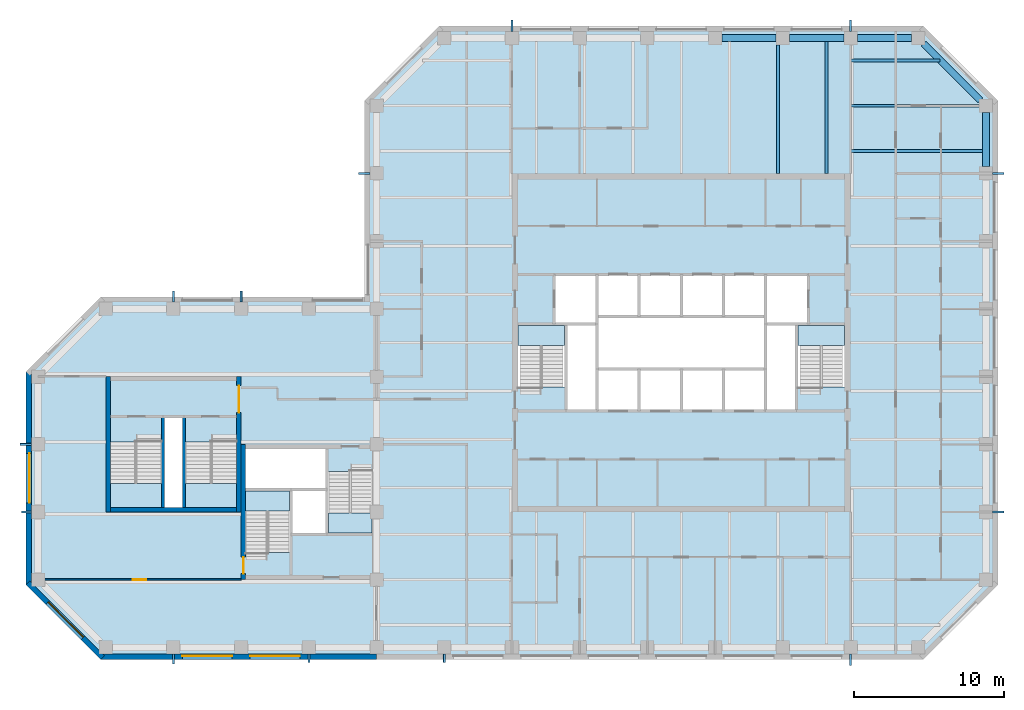
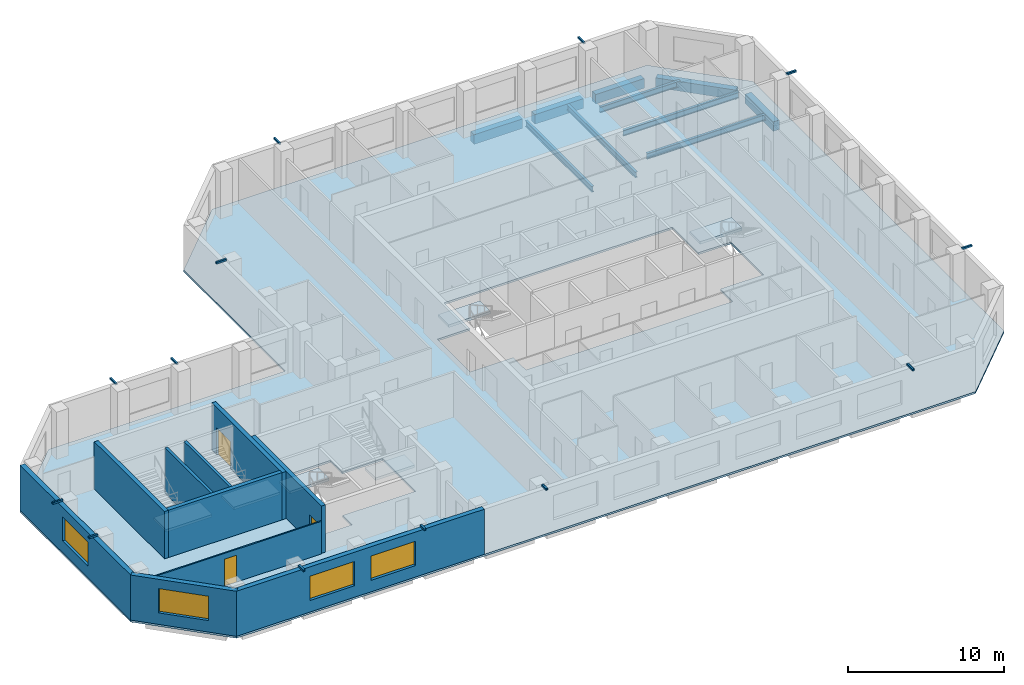
# One storey, part 2 of 9: 23 beams, 10 walls, 7 slabs, 4 windows, 3 doors, 7 openings, 6 elements without a shape of their own.
"""IFC4 building model written with IfcOpenShell, lengths in metres."""

from ifc_helpers import new_model, si_unit, direction, frame, frame_2d, origin, origin_2d, place, context, subcontext, project, spatial, polyline, rectangle, hollow_rectangle, i_section, outline, extrude, material, layer, layer_set, constituent, constituent_set, material_profile, profile_set, type_object, element, fill, aggregate, save


model = new_model("IFC4")

# Units and contexts
model_context = context("Model", 3, precision=1e-05, world=origin(), true_north=direction((0.0, 1.0)))
body_context = subcontext(model_context, "Body", "Model", "MODEL_VIEW")
ifc_project = project(units=[si_unit("LENGTHUNIT", "METRE"), si_unit("AREAUNIT", "SQUARE_METRE"), si_unit("VOLUMEUNIT", "CUBIC_METRE"), si_unit("PLANEANGLEUNIT", "RADIAN"), si_unit("MASSUNIT", "GRAM", prefix="KILO")], contexts=[model_context])

# Site, building, storey
site_placement = place(None, origin())
site = spatial("IfcSite", under=ifc_project, at=site_placement, CompositionType="ELEMENT")
building_placement = place(site_placement, origin())
building = spatial("IfcBuilding", under=site, at=building_placement, Name="Quoin Convention Tower", CompositionType="ELEMENT")
storey_placement = place(building_placement, frame((0.0, 0.0, 199.5)))
storey = spatial("IfcBuildingStorey", under=building, at=storey_placement, Name="L52", CompositionType="ELEMENT", Elevation=199.5)

# Beams
ifc_material_1 = material(Name="Steel C450L0", Category="steel")
ifc_material_profile_1 = material_profile(ifc_material_1, hollow_rectangle(XDim=0.14990234375, YDim=0.14990234375, WallThickness=0.008056640625, InnerFilletRadius=0.011962890625, OuterFilletRadius=0.02001953125, at=origin_2d()), Name="150x150x8.0SHS")
ifc_profile_set_1 = profile_set([ifc_material_profile_1], Name="Steel C450L0")
beam_type_1 = type_object("IfcBeamType", Name="150x150x8.0SHS", PredefinedType="BEAM", material=ifc_profile_set_1)
beam_1_placement = place(storey_placement, frame((13.050048828125, 54.0, 3.625), z_axis=(-1.0, 0.0, 0.0), x_axis=(0.0, -1.0, 0.0)))
element("IfcBeam", 1, at=beam_1_placement, inside=storey, type_object=beam_type_1, Name="brk-hi-L49-13500_58500-13500_54000", PredefinedType="BEAM", context=body_context, shape_type="SweptSolid", body=[
    extrude(hollow_rectangle(XDim=0.14990234375, YDim=0.14990234375, WallThickness=0.008056640625, InnerFilletRadius=0.011962890625, OuterFilletRadius=0.02001953125, at=origin_2d()), origin(), (0.0, 0.0, 1.0), 0.75),
])
for number, where, z_axis, x_axis, name in (
    (2, (13.050048828125, 49.5, 3.625), (-1.0, 0.0, 0.0), (0.0, -1.0, 0.0), "brk-hi-L49-13500_49500-13500_45000"),
    (3, (22.5, 40.050048828125, 3.625), (0.0, -1.0, 0.0), (1.0, 0.0, 0.0), "brk-hi-L49-18000_40500-22500_40500"),
):
    element("IfcBeam", number, at=place(storey_placement, frame(where, z_axis=z_axis, x_axis=x_axis)), inside=storey, type_object=beam_type_1, Name=name, PredefinedType="BEAM", context=body_context, shape_type="SweptSolid", body=[
        extrude(hollow_rectangle(XDim=0.14990234375, YDim=0.14990234375, WallThickness=0.008056640625, InnerFilletRadius=0.011962890625, OuterFilletRadius=0.02001953125, at=origin_2d()), origin(), (0.0, 0.0, 1.0), 0.650146484375),
    ])
for number, where, z_axis, x_axis, name in (
    (4, (31.5, 40.050048828125, 3.625), (0.0, -1.0, 0.0), (1.0, 0.0, 0.0), "brk-hi-L49-31500_40500-36000_40500"),
    (5, (40.5, 40.050048828125, 3.625), (0.0, -1.0, 0.0), (1.0, 0.0, 0.0), "brk-hi-L49-36000_40500-40500_40500"),
):
    element("IfcBeam", number, at=place(storey_placement, frame(where, z_axis=z_axis, x_axis=x_axis)), inside=storey, type_object=beam_type_1, Name=name, PredefinedType="BEAM", context=body_context, shape_type="SweptSolid", body=[
        extrude(hollow_rectangle(XDim=0.14990234375, YDim=0.14990234375, WallThickness=0.008056640625, InnerFilletRadius=0.011962890625, OuterFilletRadius=0.02001953125, at=origin_2d()), origin(), (0.0, 0.0, 1.0), 0.550048828125),
    ])
for number, where, z_axis, x_axis, name in (
    (6, (67.5, 40.050048828125, 3.625), (0.0, -1.0, 0.0), (1.0, 0.0, 0.0), "brk-hi-L49-67500_40500-72000_40500"),
    (7, (27.0, 63.449951171875, 3.625), (0.0, 1.0, 0.0), (-1.0, 0.0, 0.0), "brk-hi-L49-31500_63000-27000_63000"),
    (8, (22.5, 63.449951171875, 3.625), (0.0, 1.0, 0.0), (-1.0, 0.0, 0.0), "brk-hi-L49-22500_63000-18000_63000"),
    (9, (35.550048828125, 72.0, 3.625), (-1.0, 0.0, 0.0), (0.0, -1.0, 0.0), "brk-hi-L49-36000_76500-36000_72000"),
    (10, (67.5, 81.449951171875, 3.625), (0.0, 1.0, 0.0), (-1.0, 0.0, 0.0), "brk-hi-L49-72000_81000-67500_81000"),
    (11, (45.0, 81.449951171875, 3.625), (0.0, 1.0, 0.0), (-1.0, 0.0, 0.0), "brk-hi-L49-45000_81000-40500_81000"),
    (12, (76.949951171875, 49.5, 3.625), (1.0, 0.0, 0.0), (0.0, 1.0, 0.0), "brk-hi-L49-76500_45000-76500_49500"),
    (13, (76.949951171875, 72.0, 3.625), (1.0, 0.0, 0.0), (0.0, 1.0, 0.0), "brk-hi-L49-76500_72000-76500_76500"),
):
    element("IfcBeam", number, at=place(storey_placement, frame(where, z_axis=z_axis, x_axis=x_axis)), inside=storey, type_object=beam_type_1, Name=name, PredefinedType="BEAM", context=body_context, shape_type="SweptSolid", body=[
        extrude(hollow_rectangle(XDim=0.14990234375, YDim=0.14990234375, WallThickness=0.008056640625, InnerFilletRadius=0.011962890625, OuterFilletRadius=0.02001953125, at=origin_2d()), origin(), (0.0, 0.0, 1.0), 0.75),
    ])
ifc_material_2 = material(Name="Steel Grade 300", Category="steel")
ifc_material_profile_2 = material_profile(ifc_material_2, i_section(OverallWidth=0.18994140625, OverallDepth=0.4541015625, WebThickness=0.008544921875, FlangeThickness=0.0126953125, FilletRadius=0.011474609375, at=origin_2d()), Name="460UB67.1")
ifc_profile_set_2 = profile_set([ifc_material_profile_2], Name="Steel Grade 300")
beam_type_2 = type_object("IfcBeamType", Name="460UB67.1", PredefinedType="BEAM", material=ifc_profile_set_2)
beam_2_placement = place(storey_placement, frame((62.6787109375, 72.0, -0.376953125), z_axis=(0.0, 1.0, 0.0), x_axis=(-1.0, 0.0, 0.0)))
element("IfcBeam", 14, at=beam_2_placement, inside=storey, type_object=beam_type_2, Name="bm-L52-T1N5", PredefinedType="BEAM", context=body_context, shape_type="SweptSolid", body=[
    extrude(i_section(OverallWidth=0.18994140625, OverallDepth=0.4541015625, WebThickness=0.008544921875, FlangeThickness=0.0126953125, FilletRadius=0.011474609375, at=origin_2d()), origin(), (0.0, 0.0, 1.0), 8.550048828125),
])
beam_3_placement = place(storey_placement, frame((65.892822265625, 72.0, -0.376953125), z_axis=(0.0, 1.0, 0.0), x_axis=(-1.0, 0.0, 0.0)))
element("IfcBeam", 15, at=beam_3_placement, inside=storey, type_object=beam_type_2, Name="bm-L52-T1N6", PredefinedType="BEAM", context=body_context, shape_type="SweptSolid", body=[
    extrude(i_section(OverallWidth=0.18994140625, OverallDepth=0.4541015625, WebThickness=0.008544921875, FlangeThickness=0.0126953125, FilletRadius=0.011474609375, at=origin_2d()), origin(), (0.0, 0.0, 1.0), 8.77490234375),
])
beam_4_placement = place(storey_placement, frame((67.5, 79.5, -0.376953125), z_axis=(1.0, 0.0, 0.0), x_axis=(0.0, 1.0, 0.0)))
element("IfcBeam", 16, at=beam_4_placement, inside=storey, type_object=beam_type_2, Name="bm-L52-T1NE0", PredefinedType="BEAM", context=body_context, shape_type="SweptSolid", body=[
    extrude(i_section(OverallWidth=0.18994140625, OverallDepth=0.4541015625, WebThickness=0.008544921875, FlangeThickness=0.0126953125, FilletRadius=0.011474609375, at=origin_2d()), origin(), (0.0, 0.0, 1.0), 5.935791015625),
])
beam_5_placement = place(storey_placement, frame((67.5, 76.5, -0.376953125), z_axis=(1.0, 0.0, 0.0), x_axis=(0.0, 1.0, 0.0)))
element("IfcBeam", 17, at=beam_5_placement, inside=storey, type_object=beam_type_2, Name="bm-L52-T1NE1", PredefinedType="BEAM", context=body_context, shape_type="SweptSolid", body=[
    extrude(i_section(OverallWidth=0.18994140625, OverallDepth=0.4541015625, WebThickness=0.008544921875, FlangeThickness=0.0126953125, FilletRadius=0.011474609375, at=origin_2d()), origin(), (0.0, 0.0, 1.0), 8.550048828125),
])
beam_6_placement = place(storey_placement, frame((67.5, 73.5, -0.376953125), z_axis=(1.0, 0.0, 0.0), x_axis=(0.0, 1.0, 0.0)))
element("IfcBeam", 18, at=beam_6_placement, inside=storey, type_object=beam_type_2, Name="bm-L52-T1NE2", PredefinedType="BEAM", context=body_context, shape_type="SweptSolid", body=[
    extrude(i_section(OverallWidth=0.18994140625, OverallDepth=0.4541015625, WebThickness=0.008544921875, FlangeThickness=0.0126953125, FilletRadius=0.011474609375, at=origin_2d()), origin(), (0.0, 0.0, 1.0), 8.77490234375),
])
ifc_material_3 = material(Name="Concrete C50", Category="concrete")
ifc_material_profile_3 = material_profile(ifc_material_3, rectangle(XDim=0.449951171875, YDim=0.75, at=origin_2d()), Name="RC 450x750")
ifc_profile_set_3 = profile_set([ifc_material_profile_3], Name="Concrete C50")
beam_type_3 = type_object("IfcBeamType", Name="RC 450x750 C50", PredefinedType="SPANDREL", material=ifc_profile_set_3)
beam_7_placement = place(storey_placement, frame((76.5, 72.449951171875, -0.52490234375), z_axis=(0.0, 1.0, 0.0), x_axis=(-1.0, 0.0, 0.0)))
element("IfcBeam", 19, at=beam_7_placement, inside=storey, type_object=beam_type_3, Name="spd-L52-76500_72000-76500_76500", PredefinedType="SPANDREL", context=body_context, shape_type="SweptSolid", body=[
    extrude(rectangle(XDim=0.449951171875, YDim=0.75, at=origin_2d()), origin(), (0.0, 0.0, 1.0), 3.60009765625),
])
beam_8_placement = place(storey_placement, frame((76.135009765625, 76.864990234375, -0.52490234375), z_axis=(-0.707106781187, 0.707106781187, 0.0), x_axis=(-0.707106781187, -0.707106781187, 0.0)))
element("IfcBeam", 20, at=beam_8_placement, inside=storey, type_object=beam_type_3, Name="spd-L52-76500_76500-72000_81000", PredefinedType="SPANDREL", context=body_context, shape_type="SweptSolid", body=[
    extrude(rectangle(XDim=0.449951171875, YDim=0.75, at=origin_2d()), origin(), (0.0, 0.0, 1.0), 5.33154296875),
])
for number, where, z_axis, x_axis, name in (
    (21, (71.550048828125, 81.0, -0.52490234375), (-1.0, 0.0, 0.0), (0.0, -1.0, 0.0), "spd-L52-72000_81000-67500_81000"),
    (22, (67.050048828125, 81.0, -0.52490234375), (-1.0, 0.0, 0.0), (0.0, -1.0, 0.0), "spd-L52-67500_81000-63000_81000"),
    (23, (62.550048828125, 81.0, -0.52490234375), (-1.0, 0.0, 0.0), (0.0, -1.0, 0.0), "spd-L52-63000_81000-58500_81000"),
):
    element("IfcBeam", number, at=place(storey_placement, frame(where, z_axis=z_axis, x_axis=x_axis)), inside=storey, type_object=beam_type_3, Name=name, PredefinedType="SPANDREL", context=body_context, shape_type="SweptSolid", body=[
        extrude(rectangle(XDim=0.449951171875, YDim=0.75, at=origin_2d()), origin(), (0.0, 0.0, 1.0), 3.60009765625),
    ])

# Slab
ifc_material_4 = material(Name="Concrete C40", Category="concrete")
ifc_layer_1 = layer(ifc_material_4, 0.14990234375)
ifc_layer_set_1 = layer_set([ifc_layer_1], Name="Concrete C40")
slab_type_1 = type_object("IfcSlabType", Name="COMPOSITE SLAB 150 C40", PredefinedType="FLOOR", material=ifc_layer_set_1)
slab_1_placement = place(storey_placement, frame((0.0, 0.0, -0.14990234375)))
element("IfcSlab", 24, at=slab_1_placement, inside=storey, type_object=slab_type_1, Name="slb-L52", PredefinedType="FLOOR", context=body_context, shape_type="SweptSolid", body=[
    extrude(outline(polyline([(17.668701171875, 39.699951171875), (12.699951171875, 44.668701171875), (12.699951171875, 58.831298828125), (17.668701171875, 63.800048828125), (35.199951171875, 63.800048828125), (35.199951171875, 76.831298828125), (40.168701171875, 81.800048828125), (72.331298828125, 81.800048828125), (77.300048828125, 76.831298828125), (77.300048828125, 44.668701171875), (72.331298828125, 39.699951171875), (17.668701171875, 39.699951171875)]), holes=[polyline([(27.300048828125, 51.0), (27.300048828125, 46.800537109375), (30.300048828125, 46.800537109375), (30.300048828125, 48.0), (32.699951171875, 48.0), (35.699951171875, 48.0), (35.699951171875, 52.199462890625), (32.699951171875, 52.199462890625), (32.699951171875, 53.699951171875), (27.300048828125, 53.699951171875), (27.300048828125, 51.0)]), polyline([(18.300048828125, 49.800048828125), (21.800048828125, 49.800048828125), (23.199951171875, 49.800048828125), (26.699951171875, 49.800048828125), (26.699951171875, 54.1494140625), (23.199951171875, 54.1494140625), (23.199951171875, 55.85009765625), (21.800048828125, 55.85009765625), (21.800048828125, 54.1494140625), (18.300048828125, 54.1494140625), (18.300048828125, 49.800048828125)]), polyline([(48.60009765625, 56.199951171875), (50.64990234375, 56.199951171875), (53.449951171875, 56.199951171875), (56.25, 56.199951171875), (59.050048828125, 56.199951171875), (61.85009765625, 56.199951171875), (63.89990234375, 56.199951171875), (63.89990234375, 57.800537109375), (67.10009765625, 57.800537109375), (67.10009765625, 62.0), (64.699951171875, 62.0), (64.699951171875, 65.300048828125), (61.85009765625, 65.300048828125), (59.050048828125, 65.300048828125), (56.25, 65.300048828125), (53.449951171875, 65.300048828125), (50.64990234375, 65.300048828125), (47.800048828125, 65.300048828125), (47.800048828125, 62.0), (45.39990234375, 62.0), (45.39990234375, 57.800537109375), (48.60009765625, 57.800537109375), (48.60009765625, 56.199951171875)])]), origin(), (0.0, 0.0, 1.0), 0.14990234375),
])

# Stair, slab
stair_type_1 = type_object("IfcStairType", Name="Exit stair two-flight 1350", PredefinedType="HALF_TURN_STAIR", material=ifc_material_4)
stair_1_placement = place(storey_placement, origin())
stair_1 = element("IfcStair", 25, at=stair_1_placement, inside=storey, type_object=stair_type_1, Name="SD1 L52", PredefinedType="HALF_TURN_STAIR")
ifc_layer_2 = layer(ifc_material_4, 0.199951171875)
ifc_layer_set_2 = layer_set([ifc_layer_2], Name="Concrete C40")
slab_type_2 = type_object("IfcSlabType", Name="Stair landing 200", PredefinedType="LANDING", material=ifc_layer_set_2)
slab_2_placement = place(storey_placement, frame((0.0, 0.0, 1.792236328125)))
slab_2 = element("IfcSlab", 26, at=slab_2_placement, type_object=slab_type_2, Name="ST1 landing 1", PredefinedType="LANDING", context=body_context, shape_type="SweptSolid", body=[
    extrude(outline(polyline([(45.39990234375, 60.550048828125), (48.5, 60.550048828125), (48.5, 61.89990234375), (45.39990234375, 61.89990234375), (45.39990234375, 60.550048828125)])), origin(), (0.0, 0.0, 1.0), 0.199951171875),
])
aggregate(stair_1, [slab_2])

stair_2_placement = place(storey_placement, origin())
stair_2 = element("IfcStair", 27, at=stair_2_placement, inside=storey, type_object=stair_type_1, Name="SD2 L52", PredefinedType="HALF_TURN_STAIR")
slab_3_placement = place(storey_placement, frame((0.0, 0.0, 1.792236328125)))
slab_3 = element("IfcSlab", 28, at=slab_3_placement, type_object=slab_type_2, Name="ST2 landing 1", PredefinedType="LANDING", context=body_context, shape_type="SweptSolid", body=[
    extrude(outline(polyline([(64.0, 60.550048828125), (67.10009765625, 60.550048828125), (67.10009765625, 61.89990234375), (64.0, 61.89990234375), (64.0, 60.550048828125)])), origin(), (0.0, 0.0, 1.0), 0.199951171875),
])
aggregate(stair_2, [slab_3])

stair_3_placement = place(storey_placement, origin())
stair_3 = element("IfcStair", 29, at=stair_3_placement, inside=storey, type_object=stair_type_1, Name="SD3 L52", PredefinedType="HALF_TURN_STAIR")
slab_4_placement = place(storey_placement, frame((0.0, 0.0, 1.792236328125)))
slab_4 = element("IfcSlab", 30, at=slab_4_placement, type_object=slab_type_2, Name="ST3 landing 1", PredefinedType="LANDING", context=body_context, shape_type="SweptSolid", body=[
    extrude(outline(polyline([(27.300048828125, 49.550048828125), (30.199951171875, 49.550048828125), (30.199951171875, 50.89990234375), (27.300048828125, 50.89990234375), (27.300048828125, 49.550048828125)])), origin(), (0.0, 0.0, 1.0), 0.199951171875),
])
aggregate(stair_3, [slab_4])

stair_4_placement = place(storey_placement, origin())
stair_4 = element("IfcStair", 31, at=stair_4_placement, inside=storey, type_object=stair_type_1, Name="SD4 L52", PredefinedType="HALF_TURN_STAIR")
slab_5_placement = place(storey_placement, frame((0.0, 0.0, 1.792236328125)))
slab_5 = element("IfcSlab", 32, at=slab_5_placement, type_object=slab_type_2, Name="ST4 landing 1", PredefinedType="LANDING", context=body_context, shape_type="SweptSolid", body=[
    extrude(outline(polyline([(35.699951171875, 49.449951171875), (32.800048828125, 49.449951171875), (32.800048828125, 48.10009765625), (35.699951171875, 48.10009765625), (35.699951171875, 49.449951171875)])), origin(), (0.0, 0.0, 1.0), 0.199951171875),
])
aggregate(stair_4, [slab_5])

stair_type_2 = type_object("IfcStairType", Name="Exit stair two-flight 1600", PredefinedType="HALF_TURN_STAIR", material=ifc_material_4)
stair_5_placement = place(storey_placement, origin())
stair_5 = element("IfcStair", 33, at=stair_5_placement, inside=storey, type_object=stair_type_2, Name="SD11 L52", PredefinedType="HALF_TURN_STAIR")
slab_6_placement = place(storey_placement, frame((0.0, 0.0, 1.792236328125)))
slab_6 = element("IfcSlab", 34, at=slab_6_placement, type_object=slab_type_2, Name="ST11 landing 1", PredefinedType="LANDING", context=body_context, shape_type="SweptSolid", body=[
    extrude(outline(polyline([(21.699951171875, 51.39990234375), (18.300048828125, 51.39990234375), (18.300048828125, 49.800048828125), (21.699951171875, 49.800048828125), (21.699951171875, 51.39990234375)])), origin(), (0.0, 0.0, 1.0), 0.199951171875),
])
aggregate(stair_5, [slab_6])

stair_6_placement = place(storey_placement, origin())
stair_6 = element("IfcStair", 35, at=stair_6_placement, inside=storey, type_object=stair_type_2, Name="SD12 L52", PredefinedType="HALF_TURN_STAIR")
slab_7_placement = place(storey_placement, frame((0.0, 0.0, 1.792236328125)))
slab_7 = element("IfcSlab", 36, at=slab_7_placement, type_object=slab_type_2, Name="ST12 landing 1", PredefinedType="LANDING", context=body_context, shape_type="SweptSolid", body=[
    extrude(outline(polyline([(26.699951171875, 51.39990234375), (23.300048828125, 51.39990234375), (23.300048828125, 49.800048828125), (26.699951171875, 49.800048828125), (26.699951171875, 51.39990234375)])), origin(), (0.0, 0.0, 1.0), 0.199951171875),
])
aggregate(stair_6, [slab_7])

# Wall, opening, window
ifc_material_5 = material(Name="Brick masonry", Category="masonry")
ifc_layer_3 = layer(ifc_material_5, 0.35009765625)
ifc_layer_set_3 = layer_set([ifc_layer_3], Name="Brick masonry")
wall_type_1 = type_object("IfcWallType", Name="Brick facade wall", PredefinedType="STANDARD", material=ifc_layer_set_3)
wall_1_placement = place(storey_placement, frame((12.875, 58.831298828125, 0.0), z_axis=(0.0, 0.0, 1.0), x_axis=(0.0, -1.0, 0.0)))
wall_1 = element("IfcWall", 37, at=wall_1_placement, inside=storey, type_object=wall_type_1, Name="fw-L52-13500_58500", PredefinedType="STANDARD", context=body_context, shape_type="SweptSolid", body=[
    extrude(rectangle(XDim=14.16259765625, YDim=0.35009765625, at=frame_2d((7.081298828125, 0.0))), origin(), (0.0, 0.0, 1.0), 3.52490234375),
])
opening_1_placement = place(wall_1_placement, frame((5.431396484375, 0.0, 0.89990234375)))
opening_1 = element("IfcOpeningElement", 38, at=opening_1_placement, cuts=wall_1, Name="Opening W-02", PredefinedType="OPENING", context=body_context, shape_type="SweptSolid", body=[
    extrude(rectangle(XDim=3.300048828125, YDim=1.89990234375, at=frame_2d((1.64990234375, 0.949951171875))), frame((0.0, 0.18505859375, 0.0), z_axis=(0.0, -1.0, 0.0), x_axis=(1.0, 0.0, 0.0)), (0.0, 0.0, 1.0), 0.3701171875),
])
ifc_material_6 = material(Name="Aluminium", Category="aluminium")
ifc_constituent_1 = constituent(ifc_material_6, Name="Frame")
ifc_material_7 = material(Name="Insulated glass", Category="glass")
ifc_constituent_2 = constituent(ifc_material_7, Name="Glazing")
ifc_constituent_set = constituent_set(constituents=[ifc_constituent_1, ifc_constituent_2], Name="Aluminium")
window_type = type_object("IfcWindowType", Name="Office window", PartitioningType="DOUBLE_PANEL_VERTICAL", PredefinedType="WINDOW", material=ifc_constituent_set)
window_1_placement = place(opening_1_placement, origin())
window_1 = element("IfcWindow", 39, at=window_1_placement, inside=storey, type_object=window_type, Name="win-L52-12875_51750", OverallHeight=1.89990234375, OverallWidth=3.300048828125, PartitioningType="SINGLE_PANEL", PredefinedType="WINDOW", context=body_context, shape_type="SweptSolid", body=[
    extrude(rectangle(XDim=3.300048828125, YDim=1.89990234375, at=frame_2d((1.64990234375, 0.949951171875))), frame((0.0, 0.0849609375, 0.0), z_axis=(0.0, -1.0, 0.0), x_axis=(1.0, 0.0, 0.0)), (0.0, 0.0, 1.0), 0.06005859375),
])
fill(opening_1, window_1)

wall_2_placement = place(storey_placement, frame((12.82373046875, 44.79248046875, 0.0), z_axis=(0.0, 0.0, 1.0), x_axis=(0.707106781187, -0.707106781187, 0.0)))
wall_2 = element("IfcWall", 40, at=wall_2_placement, inside=storey, type_object=wall_type_1, Name="fw-L52-13500_45000", PredefinedType="STANDARD", context=body_context, shape_type="SweptSolid", body=[
    extrude(rectangle(XDim=7.02685546875, YDim=0.35009765625, at=frame_2d((3.513427734375, 0.0))), origin(), (0.0, 0.0, 1.0), 3.52490234375),
])
opening_2_placement = place(wall_2_placement, frame((1.86328125, 0.0, 0.89990234375)))
opening_2 = element("IfcOpeningElement", 41, at=opening_2_placement, cuts=wall_2, Name="Opening W-02", PredefinedType="OPENING", context=body_context, shape_type="SweptSolid", body=[
    extrude(rectangle(XDim=3.300048828125, YDim=1.89990234375, at=frame_2d((1.64990234375, 0.949951171875))), frame((0.0, 0.18505859375, 0.0), z_axis=(0.0, -1.0, 0.0), x_axis=(1.0, 0.0, 0.0)), (0.0, 0.0, 1.0), 0.3701171875),
])
window_2_placement = place(opening_2_placement, origin())
window_2 = element("IfcWindow", 42, at=window_2_placement, inside=storey, type_object=window_type, Name="win-L52-15308_42308", OverallHeight=1.89990234375, OverallWidth=3.300048828125, PartitioningType="SINGLE_PANEL", PredefinedType="WINDOW", context=body_context, shape_type="SweptSolid", body=[
    extrude(rectangle(XDim=3.300048828125, YDim=1.89990234375, at=frame_2d((1.64990234375, 0.949951171875))), frame((0.0, 0.0849609375, 0.0), z_axis=(0.0, -1.0, 0.0), x_axis=(1.0, 0.0, 0.0)), (0.0, 0.0, 1.0), 0.06005859375),
])
fill(opening_2, window_2)

# Wall, openings, windows
wall_3_placement = place(storey_placement, frame((17.668701171875, 39.875, 0.0), z_axis=(0.0, 0.0, 1.0), x_axis=(1.0, 0.0, 0.0)))
wall_3 = element("IfcWall", 43, at=wall_3_placement, inside=storey, type_object=wall_type_1, Name="fw-L52-18000_40500", PredefinedType="STANDARD", context=body_context, shape_type="SweptSolid", body=[
    extrude(rectangle(XDim=18.331298828125, YDim=0.35009765625, at=frame_2d((9.16552734375, 0.0))), origin(), (0.0, 0.0, 1.0), 3.52490234375),
])
opening_3_placement = place(wall_3_placement, frame((5.431396484375, 0.0, 0.89990234375)))
opening_3 = element("IfcOpeningElement", 44, at=opening_3_placement, cuts=wall_3, Name="Opening W-02", PredefinedType="OPENING", context=body_context, shape_type="SweptSolid", body=[
    extrude(rectangle(XDim=3.300048828125, YDim=1.89990234375, at=frame_2d((1.64990234375, 0.949951171875))), frame((0.0, 0.18505859375, 0.0), z_axis=(0.0, -1.0, 0.0), x_axis=(1.0, 0.0, 0.0)), (0.0, 0.0, 1.0), 0.3701171875),
])
opening_4_placement = place(wall_3_placement, frame((9.931396484375, 0.0, 0.89990234375)))
opening_4 = element("IfcOpeningElement", 45, at=opening_4_placement, cuts=wall_3, Name="Opening W-02", PredefinedType="OPENING", context=body_context, shape_type="SweptSolid", body=[
    extrude(rectangle(XDim=3.300048828125, YDim=1.89990234375, at=frame_2d((1.64990234375, 0.949951171875))), frame((0.0, 0.18505859375, 0.0), z_axis=(0.0, -1.0, 0.0), x_axis=(1.0, 0.0, 0.0)), (0.0, 0.0, 1.0), 0.3701171875),
])
window_3_placement = place(opening_3_placement, origin())
window_3 = element("IfcWindow", 46, at=window_3_placement, inside=storey, type_object=window_type, Name="win-L52-24750_39875", OverallHeight=1.89990234375, OverallWidth=3.300048828125, PartitioningType="SINGLE_PANEL", PredefinedType="WINDOW", context=body_context, shape_type="SweptSolid", body=[
    extrude(rectangle(XDim=3.300048828125, YDim=1.89990234375, at=frame_2d((1.64990234375, 0.949951171875))), frame((0.0, 0.0849609375, 0.0), z_axis=(0.0, -1.0, 0.0), x_axis=(1.0, 0.0, 0.0)), (0.0, 0.0, 1.0), 0.06005859375),
])
fill(opening_3, window_3)
window_4_placement = place(opening_4_placement, origin())
window_4 = element("IfcWindow", 47, at=window_4_placement, inside=storey, type_object=window_type, Name="win-L52-29250_39875", OverallHeight=1.89990234375, OverallWidth=3.300048828125, PartitioningType="SINGLE_PANEL", PredefinedType="WINDOW", context=body_context, shape_type="SweptSolid", body=[
    extrude(rectangle(XDim=3.300048828125, YDim=1.89990234375, at=frame_2d((1.64990234375, 0.949951171875))), frame((0.0, 0.0849609375, 0.0), z_axis=(0.0, -1.0, 0.0), x_axis=(1.0, 0.0, 0.0)), (0.0, 0.0, 1.0), 0.06005859375),
])
fill(opening_4, window_4)

# Walls
ifc_layer_4 = layer(ifc_material_3, 0.199951171875)
ifc_layer_set_4 = layer_set([ifc_layer_4], Name="Concrete C50")
wall_type_2 = type_object("IfcWallType", Name="Core shaft wall", PredefinedType="SOLIDWALL", material=ifc_layer_set_4)
for number, where, z_axis, x_axis, name in (
    (48, (21.800048828125, 49.800048828125, 0.0), (0.0, 0.0, 1.0), (0.0, 1.0, 0.0), "cr-P6-L52-v3800_300"),
    (49, (23.199951171875, 49.800048828125, 0.0), (0.0, 0.0, 1.0), (0.0, 1.0, 0.0), "cr-P6-L52-v5200_300"),
):
    element("IfcWall", number, at=place(storey_placement, frame(where, z_axis=z_axis, x_axis=x_axis)), inside=storey, type_object=wall_type_2, Name=name, PredefinedType="SOLIDWALL", context=body_context, shape_type="SweptSolid", body=[
        extrude(rectangle(XDim=6.050048828125, YDim=0.199951171875, at=frame_2d((3.02490234375, 0.0))), origin(), (0.0, 0.0, 1.0), 3.550048828125),
    ])

# Wall, opening, door
ifc_layer_5 = layer(ifc_material_3, 0.300048828125)
ifc_layer_set_5 = layer_set([ifc_layer_5], Name="Concrete C50")
wall_type_3 = type_object("IfcWallType", Name="RC CORE WALL 300 C50", PredefinedType="SHEAR", material=ifc_layer_set_5)
wall_4_placement = place(storey_placement, frame((27.14990234375, 45.0, 0.0), z_axis=(0.0, 0.0, 1.0), x_axis=(0.0, 1.0, 0.0)))
wall_4 = element("IfcWall", 50, at=wall_4_placement, inside=storey, type_object=wall_type_3, Name="cwl-P2-L52-W", PredefinedType="SHEAR", context=body_context, shape_type="SweptSolid", body=[
    extrude(rectangle(XDim=9.0, YDim=0.300048828125, at=frame_2d((4.5, 0.0))), origin(), (0.0, 0.0, 1.0), 3.699951171875),
])
opening_5_placement = place(wall_4_placement, frame((0.39990234375, 0.0, 0.0)))
opening_5 = element("IfcOpeningElement", 51, at=opening_5_placement, cuts=wall_4, Name="Opening SD3", PredefinedType="OPENING", context=body_context, shape_type="SweptSolid", body=[
    extrude(rectangle(XDim=1.10009765625, YDim=2.10009765625, at=frame_2d((0.550048828125, 1.050048828125))), frame((0.0, 0.159912109375, 0.0), z_axis=(0.0, -1.0, 0.0), x_axis=(1.0, 0.0, 0.0)), (0.0, 0.0, 1.0), 0.320068359375),
])
ifc_material_8 = material(Name="Steel door leaf", Category="steel")
door_type_1 = type_object("IfcDoorType", Name="Stair door 1100 x 2100", OperationType="SINGLE_SWING_RIGHT", PredefinedType="DOOR", material=ifc_material_8)
door_1_placement = place(opening_5_placement, frame((1.10009765625, 0.0, 0.0), z_axis=(0.0, 0.0, 1.0), x_axis=(-1.0, 0.0, 0.0)))
door_1 = element("IfcDoor", 52, at=door_1_placement, inside=storey, type_object=door_type_1, Name="cd-P2-L52-SA-W", OperationType="SINGLE_SWING_RIGHT", OverallHeight=2.10009765625, OverallWidth=1.10009765625, PredefinedType="DOOR", context=body_context, shape_type="SweptSolid", body=[
    extrude(rectangle(XDim=1.10009765625, YDim=2.10009765625, at=frame_2d((0.550048828125, 1.050048828125))), frame((0.0, 0.02490234375, 0.0), z_axis=(0.0, -1.0, 0.0), x_axis=(1.0, 0.0, 0.0)), (0.0, 0.0, 1.0), 0.050048828125),
])
fill(opening_5, door_1)

# Walls
wall_5_placement = place(storey_placement, frame((18.300048828125, 49.64990234375, 0.0), z_axis=(0.0, 0.0, 1.0), x_axis=(1.0, 0.0, 0.0)))
element("IfcWall", 53, at=wall_5_placement, inside=storey, type_object=wall_type_3, Name="cwl-P6-L52-S", PredefinedType="SHEAR", context=body_context, shape_type="SweptSolid", body=[
    extrude(rectangle(XDim=8.39990234375, YDim=0.300048828125, at=frame_2d((4.199951171875, 0.0))), origin(), (0.0, 0.0, 1.0), 3.699951171875),
])
wall_6_placement = place(storey_placement, frame((18.14990234375, 49.5, 0.0), z_axis=(0.0, 0.0, 1.0), x_axis=(0.0, 1.0, 0.0)))
element("IfcWall", 54, at=wall_6_placement, inside=storey, type_object=wall_type_3, Name="cwl-P6-L52-W", PredefinedType="SHEAR", context=body_context, shape_type="SweptSolid", body=[
    extrude(rectangle(XDim=9.0, YDim=0.300048828125, at=frame_2d((4.5, 0.0))), origin(), (0.0, 0.0, 1.0), 3.699951171875),
])

# Wall, opening, door
wall_7_placement = place(storey_placement, frame((26.85009765625, 49.5, 0.0), z_axis=(0.0, 0.0, 1.0), x_axis=(0.0, 1.0, 0.0)))
wall_7 = element("IfcWall", 55, at=wall_7_placement, inside=storey, type_object=wall_type_3, Name="cwl-P6-L52-E", PredefinedType="SHEAR", context=body_context, shape_type="SweptSolid", body=[
    extrude(rectangle(XDim=9.0, YDim=0.300048828125, at=frame_2d((4.5, 0.0))), origin(), (0.0, 0.0, 1.0), 3.699951171875),
])
opening_6_placement = place(wall_7_placement, frame((6.60009765625, 0.0, 0.0)))
opening_6 = element("IfcOpeningElement", 56, at=opening_6_placement, cuts=wall_7, Name="Opening DCV0-64", PredefinedType="OPENING", context=body_context, shape_type="SweptSolid", body=[
    extrude(rectangle(XDim=1.800048828125, YDim=2.10009765625, at=frame_2d((0.89990234375, 1.050048828125))), frame((0.0, 0.159912109375, 0.0), z_axis=(0.0, -1.0, 0.0), x_axis=(1.0, 0.0, 0.0)), (0.0, 0.0, 1.0), 0.320068359375),
])
door_type_2 = type_object("IfcDoorType", Name="Goods lobby door 1800 x 2100", OperationType="SINGLE_SWING_LEFT", PredefinedType="DOOR", material=ifc_material_8)
door_2_placement = place(opening_6_placement, origin())
door_2 = element("IfcDoor", 57, at=door_2_placement, inside=storey, type_object=door_type_2, Name="cd-P6-L52-R2-E", OperationType="SINGLE_SWING_LEFT", OverallHeight=2.10009765625, OverallWidth=1.800048828125, PredefinedType="DOOR", context=body_context, shape_type="SweptSolid", body=[
    extrude(rectangle(XDim=1.800048828125, YDim=2.10009765625, at=frame_2d((0.89990234375, 1.050048828125))), frame((0.0, 0.02490234375, 0.0), z_axis=(0.0, -1.0, 0.0), x_axis=(1.0, 0.0, 0.0)), (0.0, 0.0, 1.0), 0.050048828125),
])
fill(opening_6, door_2)

ifc_material_9 = material(Name="Plasterboard")
ifc_layer_6 = layer(ifc_material_9, 0.012451171875, Name="Finish")
ifc_material_10 = material(Name="Steel stud framing", Category="steel")
ifc_layer_7 = layer(ifc_material_10, 0.074951171875, Name="Structure")
ifc_layer_8 = layer(ifc_material_9, 0.012451171875, Name="Finish")
ifc_layer_set_6 = layer_set([ifc_layer_6, ifc_layer_7, ifc_layer_8], Name="Steel stud framing")
wall_type_4 = type_object("IfcWallType", Name="Stud partition 100 under beam 1000", PredefinedType="PARTITIONING", material=ifc_layer_set_6)
wall_8_placement = place(storey_placement, frame((27.0, 45.0, 0.0), z_axis=(0.0, 0.0, 1.0), x_axis=(-1.0, 0.0, 0.0)))
wall_8 = element("IfcWall", 58, at=wall_8_placement, inside=storey, type_object=wall_type_4, Name="pw-L52-w02", PredefinedType="PARTITIONING", context=body_context, shape_type="SweptSolid", body=[
    extrude(rectangle(XDim=13.5, YDim=0.10009765625, at=frame_2d((6.75, 0.0))), origin(), (0.0, 0.0, 1.0), 2.550048828125),
])
opening_7_placement = place(wall_8_placement, frame((6.300048828125, 0.0, 0.0)))
opening_7 = element("IfcOpeningElement", 59, at=opening_7_placement, cuts=wall_8, Name="Opening DOH8-29", PredefinedType="OPENING", context=body_context, shape_type="SweptSolid", body=[
    extrude(rectangle(XDim=0.89990234375, YDim=2.10009765625, at=frame_2d((0.449951171875, 1.050048828125))), frame((0.0, 0.06005859375, 0.0), z_axis=(0.0, -1.0, 0.0), x_axis=(1.0, 0.0, 0.0)), (0.0, 0.0, 1.0), 0.1201171875),
])
door_type_3 = type_object("IfcDoorType", Name="Office door 900 x 2100", OperationType="SINGLE_SWING_RIGHT", PredefinedType="DOOR", material=ifc_material_8)
door_3_placement = place(opening_7_placement, frame((0.89990234375, 0.0, 0.0), z_axis=(0.0, 0.0, 1.0), x_axis=(-1.0, 0.0, 0.0)))
door_3 = element("IfcDoor", 60, at=door_3_placement, inside=storey, type_object=door_type_3, Name="dr-L52-w03", OperationType="SINGLE_SWING_RIGHT", OverallHeight=2.10009765625, OverallWidth=0.89990234375, PredefinedType="DOOR", context=body_context, shape_type="SweptSolid", body=[
    extrude(rectangle(XDim=0.89990234375, YDim=2.10009765625, at=frame_2d((0.449951171875, 1.050048828125))), frame((0.0, 0.02490234375, 0.0), z_axis=(0.0, -1.0, 0.0), x_axis=(1.0, 0.0, 0.0)), (0.0, 0.0, 1.0), 0.050048828125),
])
fill(opening_7, door_3)

save(model, "model.ifc")
